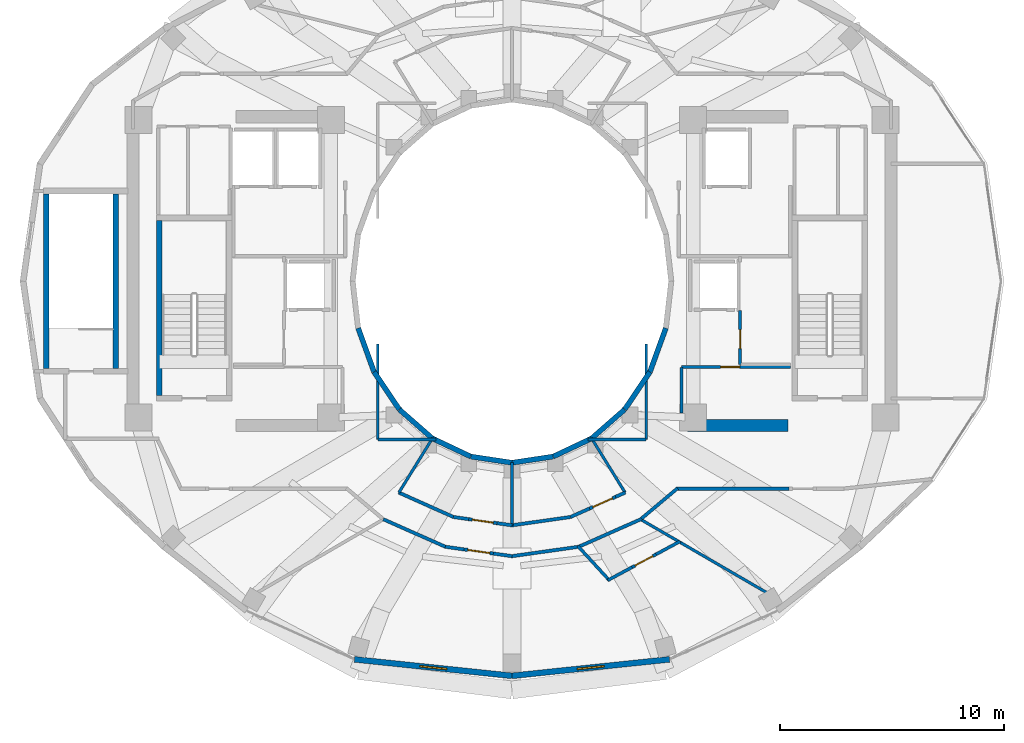
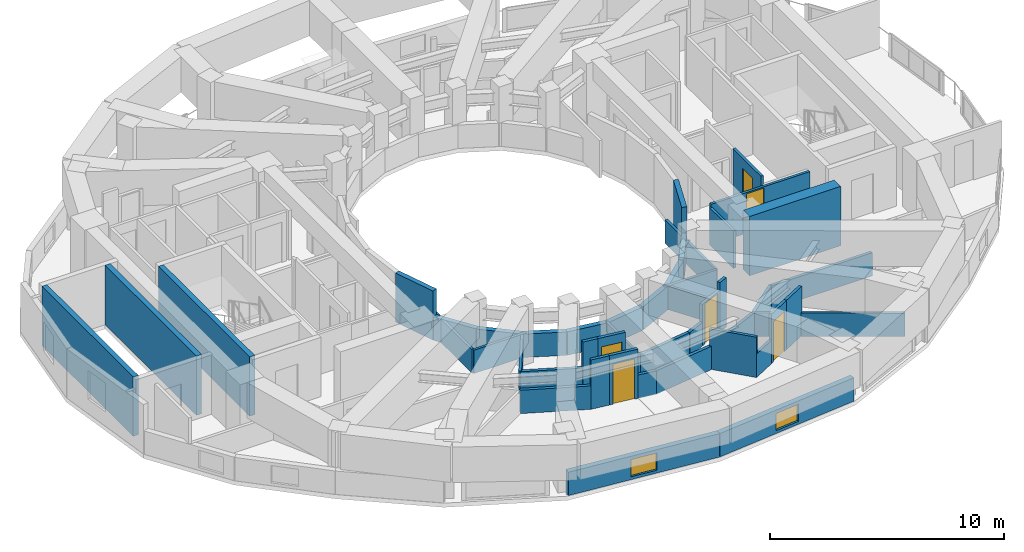
# One storey, part 14 of 20: 47 walls, 6 doors, 2 windows, 8 openings.
"""IFC4 building model written with IfcOpenShell, lengths in metres."""

from ifc_helpers import new_model, si_unit, direction, frame, frame_2d, origin, place, context, subcontext, project, spatial, rectangle, extrude, material, layer, layer_set, type_object, element, fill, save


model = new_model("IFC4")

# Units and contexts
model_context = context("Model", 3, precision=1e-05, world=origin(), true_north=direction((0.0, 1.0)))
body_context = subcontext(model_context, "Body", "Model", "MODEL_VIEW")
ifc_project = project(units=[si_unit("LENGTHUNIT", "METRE"), si_unit("AREAUNIT", "SQUARE_METRE"), si_unit("VOLUMEUNIT", "CUBIC_METRE"), si_unit("PLANEANGLEUNIT", "RADIAN"), si_unit("MASSUNIT", "GRAM", prefix="KILO")], contexts=[model_context])

# Site, building, storey
site_placement = place(None, origin())
site = spatial("IfcSite", under=ifc_project, at=site_placement, CompositionType="ELEMENT")
building_placement = place(site_placement, origin())
building = spatial("IfcBuilding", under=site, at=building_placement, Name="Solvane Sanctuary Tower", CompositionType="ELEMENT")
storey_placement = place(building_placement, frame((0.0, 0.0, 217.10009765625)))
storey = spatial("IfcBuildingStorey", under=building, at=storey_placement, Name="L66", CompositionType="ELEMENT", Elevation=217.10009765625)

# Walls
ifc_material_1 = material(Name="Concrete C50/60", Category="concrete")
ifc_layer_1 = layer(ifc_material_1, 0.550048828125, Name="Concrete C50/60")
ifc_layer_set_1 = layer_set([ifc_layer_1], Name="Concrete C50/60")
wall_type_1 = type_object("IfcWallType", Name="Wall W-CORE-550", PredefinedType="SHEAR", material=ifc_layer_set_1)
wall_1_placement = place(storey_placement, frame((39.85009765625, 16.550048828125, 0.0), z_axis=(0.0, 0.0, 1.0), x_axis=(1.0, 0.0, 0.0)))
element("IfcWall", 1, at=wall_1_placement, inside=storey, type_object=wall_type_1, Name="L66 Core Shear Wall EC-S", PredefinedType="SHEAR", context=body_context, shape_type="SweptSolid", body=[
    extrude(rectangle(XDim=4.5, YDim=0.550048828125, at=frame_2d((2.25, 0.0))), origin(), (0.0, 0.0, 1.0), 3.099853515625),
])
ifc_material_2 = material(Name="Acoustic Gypsum Partition Board")
ifc_layer_2 = layer(ifc_material_2, 0.14990234375, Name="Acoustic Gypsum Partition Board")
ifc_layer_set_2 = layer_set([ifc_layer_2], Name="Acoustic Gypsum Partition Board")
wall_type_2 = type_object("IfcWallType", Name="Wall W-CORR-150", PredefinedType="PARTITIONING", material=ifc_layer_set_2)
wall_2_placement = place(storey_placement, frame((26.934814453125, 13.548583984375, 0.0), z_axis=(0.0, 0.0, 1.0), x_axis=(0.912859324183, -0.408274239027, 0.0)))
element("IfcWall", 2, at=wall_2_placement, inside=storey, type_object=wall_type_2, Name="L66 South Light-Well Corridor Wall 1", PredefinedType="PARTITIONING", context=body_context, shape_type="SweptSolid", body=[
    extrude(rectangle(XDim=2.681884765625, YDim=0.14990234375, at=frame_2d((1.3408203125, 0.0))), origin(), (0.0, 0.0, 1.0), 1.219970703125),
])
wall_3_placement = place(storey_placement, frame((29.379638671875, 12.45458984375, 0.0), z_axis=(0.0, 0.0, 1.0), x_axis=(0.990090139669, -0.140433312754, 0.0)))
element("IfcWall", 3, at=wall_3_placement, inside=storey, type_object=wall_type_2, Name="L66 South Light-Well Corridor Wall 1", PredefinedType="PARTITIONING", context=body_context, shape_type="SweptSolid", body=[
    extrude(rectangle(XDim=0.69189453125, YDim=0.14990234375, at=frame_2d((0.345947265625, 0.0))), origin(), (0.0, 0.0, 1.0), 2.574951171875),
])

# Wall, opening, door
wall_4_placement = place(storey_placement, frame((30.064697265625, 12.357421875, 0.0), z_axis=(0.0, 0.0, 1.0), x_axis=(0.990102710588, -0.140344656064, 0.0)))
wall_4 = element("IfcWall", 4, at=wall_4_placement, inside=storey, type_object=wall_type_2, Name="L66 South Light-Well Corridor Wall 1", PredefinedType="PARTITIONING", context=body_context, shape_type="SweptSolid", body=[
    extrude(rectangle(XDim=1.269775390625, YDim=0.14990234375, at=frame_2d((0.634765625, 0.0))), origin(), (0.0, 0.0, 1.0), 2.574951171875),
])
opening_1_placement = place(wall_4_placement, frame((0.159912109375, 0.0, 0.0)))
opening_1 = element("IfcOpeningElement", 5, at=opening_1_placement, cuts=wall_4, Name="Opening D-L66-16", PredefinedType="OPENING", context=body_context, shape_type="SweptSolid", body=[
    extrude(rectangle(XDim=0.949951171875, YDim=2.10009765625, at=frame_2d((0.47509765625, 1.050048828125))), frame((0.0, 0.0849609375, 0.0), z_axis=(0.0, -1.0, 0.0), x_axis=(1.0, 0.0, 0.0)), (0.0, 0.0, 1.0), 0.169921875),
])
ifc_material_3 = material(Name="Engineered Tropical Hardwood", Category="wood")
door_type_1 = type_object("IfcDoorType", Name="Door D-ROOM-950", OperationType="NOTDEFINED", PredefinedType="DOOR", material=ifc_material_3)
door_1_placement = place(opening_1_placement, origin())
door_1 = element("IfcDoor", 6, at=door_1_placement, inside=storey, type_object=door_type_1, Name="L66 South Light-Well Alcove Door 1", OperationType="SINGLE_SWING_RIGHT", OverallHeight=2.10009765625, OverallWidth=0.949951171875, PredefinedType="DOOR", context=body_context, shape_type="SweptSolid", body=[
    extrude(rectangle(XDim=0.949951171875, YDim=2.10009765625, at=frame_2d((0.47509765625, 1.050048828125))), frame((0.0, 0.02490234375, 0.0), z_axis=(0.0, -1.0, 0.0), x_axis=(1.0, 0.0, 0.0)), (0.0, 0.0, 1.0), 0.050048828125),
])
fill(opening_1, door_1)

# Walls
wall_5_placement = place(storey_placement, frame((31.322021484375, 12.17919921875, 0.0), z_axis=(0.0, 0.0, 1.0), x_axis=(0.990090139669, -0.140433312754, 0.0)))
element("IfcWall", 7, at=wall_5_placement, inside=storey, type_object=wall_type_2, Name="L66 South Light-Well Corridor Wall 1", PredefinedType="PARTITIONING", context=body_context, shape_type="SweptSolid", body=[
    extrude(rectangle(XDim=0.69189453125, YDim=0.14990234375, at=frame_2d((0.345947265625, 0.0))), origin(), (0.0, 0.0, 1.0), 1.219970703125),
])
wall_6_placement = place(storey_placement, frame((31.992919921875, 12.08203125, 0.0), z_axis=(0.0, 0.0, 1.0), x_axis=(0.990096156252, 0.140390887794, 0.0)))
element("IfcWall", 8, at=wall_6_placement, inside=storey, type_object=wall_type_2, Name="L66 South Light-Well Corridor Wall 2", PredefinedType="PARTITIONING", context=body_context, shape_type="SweptSolid", body=[
    extrude(rectangle(XDim=2.65380859375, YDim=0.14990234375, at=frame_2d((1.326904296875, 0.0))), origin(), (0.0, 0.0, 1.0), 1.219970703125),
])
wall_7_placement = place(storey_placement, frame((34.616943359375, 12.45361328125, 0.0), z_axis=(0.0, 0.0, 1.0), x_axis=(0.912905274427, 0.408171483477, 0.0)))
element("IfcWall", 9, at=wall_7_placement, inside=storey, type_object=wall_type_2, Name="L66 South Light-Well Corridor Wall 2", PredefinedType="PARTITIONING", context=body_context, shape_type="SweptSolid", body=[
    extrude(rectangle(XDim=0.935546875, YDim=0.14990234375, at=frame_2d((0.4677734375, 0.0))), origin(), (0.0, 0.0, 1.0), 1.219970703125),
])

# Wall, opening, door
wall_8_placement = place(storey_placement, frame((35.470947265625, 12.83544921875, 0.0), z_axis=(0.0, 0.0, 1.0), x_axis=(0.912825795494, 0.408349197479, 0.0)))
wall_8 = element("IfcWall", 10, at=wall_8_placement, inside=storey, type_object=wall_type_2, Name="L66 South Light-Well Corridor Wall 2", PredefinedType="PARTITIONING", context=body_context, shape_type="SweptSolid", body=[
    extrude(rectangle(XDim=1.269775390625, YDim=0.14990234375, at=frame_2d((0.634765625, 0.0))), origin(), (0.0, 0.0, 1.0), 2.159912109375),
])
opening_2_placement = place(wall_8_placement, frame((0.159912109375, 0.0, 0.0)))
opening_2 = element("IfcOpeningElement", 11, at=opening_2_placement, cuts=wall_8, Name="Opening D-L66-17", PredefinedType="OPENING", context=body_context, shape_type="SweptSolid", body=[
    extrude(rectangle(XDim=0.949951171875, YDim=2.10009765625, at=frame_2d((0.47509765625, 1.050048828125))), frame((0.0, 0.0849609375, 0.0), z_axis=(0.0, -1.0, 0.0), x_axis=(1.0, 0.0, 0.0)), (0.0, 0.0, 1.0), 0.169921875),
])
door_2_placement = place(opening_2_placement, origin())
door_2 = element("IfcDoor", 12, at=door_2_placement, inside=storey, type_object=door_type_1, Name="L66 South Light-Well Alcove Door 2", OperationType="SINGLE_SWING_LEFT", OverallHeight=2.10009765625, OverallWidth=0.949951171875, PredefinedType="DOOR", context=body_context, shape_type="SweptSolid", body=[
    extrude(rectangle(XDim=0.949951171875, YDim=2.10009765625, at=frame_2d((0.47509765625, 1.050048828125))), frame((0.0, 0.02490234375, 0.0), z_axis=(0.0, -1.0, 0.0), x_axis=(1.0, 0.0, 0.0)), (0.0, 0.0, 1.0), 0.050048828125),
])
fill(opening_2, door_2)

# Walls
wall_9_placement = place(storey_placement, frame((36.630126953125, 13.35400390625, 0.0), z_axis=(0.0, 0.0, 1.0), x_axis=(0.9128584484, 0.40827619718, 0.0)))
element("IfcWall", 13, at=wall_9_placement, inside=storey, type_object=wall_type_2, Name="L66 South Light-Well Corridor Wall 2", PredefinedType="PARTITIONING", context=body_context, shape_type="SweptSolid", body=[
    extrude(rectangle(XDim=0.4765625, YDim=0.14990234375, at=frame_2d((0.23828125, 0.0))), origin(), (0.0, 0.0, 1.0), 2.574951171875),
])
wall_10_placement = place(storey_placement, frame((37.791015625, 12.385009765625, 0.0), z_axis=(0.0, 0.0, 1.0), x_axis=(0.765677451641, 0.643224719711, 0.0)))
element("IfcWall", 14, at=wall_10_placement, inside=storey, type_object=wall_type_2, Name="L66 SE Corner Throat Wall", PredefinedType="PARTITIONING", context=body_context, shape_type="SweptSolid", body=[
    extrude(rectangle(XDim=2.10546875, YDim=0.14990234375, at=frame_2d((1.052734375, 0.0))), origin(), (0.0, 0.0, 1.0), 1.219970703125),
])
wall_11_placement = place(storey_placement, frame((39.330078125, 13.719970703125, 0.0), z_axis=(0.0, 0.0, 1.0), x_axis=(1.0, 0.0, 0.0)))
element("IfcWall", 15, at=wall_11_placement, inside=storey, type_object=wall_type_2, Name="L66 SE Corner Corridor Wall", PredefinedType="PARTITIONING", context=body_context, shape_type="SweptSolid", body=[
    extrude(rectangle(XDim=5.059814453125, YDim=0.14990234375, at=frame_2d((2.52978515625, 0.0))), origin(), (0.0, 0.0, 1.0), 1.219970703125),
])
wall_12_placement = place(storey_placement, frame((34.93017578125, 11.1005859375, 0.0), z_axis=(0.0, 0.0, 1.0), x_axis=(0.914264054844, 0.405118794949, 0.0)))
element("IfcWall", 16, at=wall_12_placement, inside=storey, type_object=wall_type_2, Name="L66 En-suite Inner Wall S1", PredefinedType="PARTITIONING", context=body_context, shape_type="SweptSolid", body=[
    extrude(rectangle(XDim=3.133056640625, YDim=0.14990234375, at=frame_2d((1.56640625, 0.0))), origin(), (0.0, 0.0, 1.0), 1.219970703125),
])
wall_13_placement = place(storey_placement, frame((26.243896484375, 12.35400390625, 0.0), z_axis=(0.0, 0.0, 1.0), x_axis=(0.914302802833, -0.405031337963, 0.0)))
element("IfcWall", 17, at=wall_13_placement, inside=storey, type_object=wall_type_2, Name="L66 Unit Corridor Wall S1", PredefinedType="PARTITIONING", context=body_context, shape_type="SweptSolid", body=[
    extrude(rectangle(XDim=3.04931640625, YDim=0.14990234375, at=frame_2d((1.524658203125, 0.0))), origin(), (0.0, 0.0, 1.0), 1.219970703125),
])
wall_14_placement = place(storey_placement, frame((29.016357421875, 11.123291015625, 0.0), z_axis=(0.0, 0.0, 1.0), x_axis=(0.99022315503, -0.139492305317, 0.0)))
element("IfcWall", 18, at=wall_14_placement, inside=storey, type_object=wall_type_2, Name="L66 Unit Corridor Wall S1", PredefinedType="PARTITIONING", context=body_context, shape_type="SweptSolid", body=[
    extrude(rectangle(XDim=0.8505859375, YDim=0.14990234375, at=frame_2d((0.42529296875, 0.0))), origin(), (0.0, 0.0, 1.0), 2.574951171875),
])

# Wall, opening, door
wall_15_placement = place(storey_placement, frame((29.858642578125, 11.004638671875, 0.0), z_axis=(0.0, 0.0, 1.0), x_axis=(0.990228663531, -0.139453196171, 0.0)))
wall_15 = element("IfcWall", 19, at=wall_15_placement, inside=storey, type_object=wall_type_2, Name="L66 Unit Corridor Wall S1", PredefinedType="PARTITIONING", context=body_context, shape_type="SweptSolid", body=[
    extrude(rectangle(XDim=1.320068359375, YDim=0.14990234375, at=frame_2d((0.66015625, 0.0))), origin(), (0.0, 0.0, 1.0), 2.574951171875),
])
opening_3_placement = place(wall_15_placement, frame((0.159912109375, 0.0, 0.0)))
opening_3 = element("IfcOpeningElement", 20, at=opening_3_placement, cuts=wall_15, Name="Opening D-L66-26", PredefinedType="OPENING", context=body_context, shape_type="SweptSolid", body=[
    extrude(rectangle(XDim=1.0, YDim=2.10009765625, at=frame_2d((0.5, 1.050048828125))), frame((0.0, 0.0849609375, 0.0), z_axis=(0.0, -1.0, 0.0), x_axis=(1.0, 0.0, 0.0)), (0.0, 0.0, 1.0), 0.169921875),
])
door_type_2 = type_object("IfcDoorType", Name="Door D-UNIT", OperationType="NOTDEFINED", PredefinedType="DOOR", material=ifc_material_3)
door_3_placement = place(opening_3_placement, origin())
door_3 = element("IfcDoor", 21, at=door_3_placement, inside=storey, type_object=door_type_2, Name="L66 Unit Entrance Door S1", OperationType="SINGLE_SWING_RIGHT", OverallHeight=2.10009765625, OverallWidth=1.0, PredefinedType="DOOR", context=body_context, shape_type="SweptSolid", body=[
    extrude(rectangle(XDim=1.0, YDim=2.10009765625, at=frame_2d((0.5, 1.050048828125))), frame((0.0, 0.02490234375, 0.0), z_axis=(0.0, -1.0, 0.0), x_axis=(1.0, 0.0, 0.0)), (0.0, 0.0, 1.0), 0.050048828125),
])
fill(opening_3, door_3)

# Walls
wall_16_placement = place(storey_placement, frame((31.165771484375, 10.820556640625, 0.0), z_axis=(0.0, 0.0, 1.0), x_axis=(0.99022315503, -0.139492305317, 0.0)))
element("IfcWall", 22, at=wall_16_placement, inside=storey, type_object=wall_type_2, Name="L66 Unit Corridor Wall S1", PredefinedType="PARTITIONING", context=body_context, shape_type="SweptSolid", body=[
    extrude(rectangle(XDim=0.8505859375, YDim=0.14990234375, at=frame_2d((0.42529296875, 0.0))), origin(), (0.0, 0.0, 1.0), 1.219970703125),
])
wall_17_placement = place(storey_placement, frame((31.991943359375, 10.701904296875, 0.0), z_axis=(0.0, 0.0, 1.0), x_axis=(0.990225561979, 0.139475217886, 0.0)))
element("IfcWall", 23, at=wall_17_placement, inside=storey, type_object=wall_type_2, Name="L66 Unit Corridor Wall S1", PredefinedType="PARTITIONING", context=body_context, shape_type="SweptSolid", body=[
    extrude(rectangle(XDim=3.021240234375, YDim=0.14990234375, at=frame_2d((1.5107421875, 0.0))), origin(), (0.0, 0.0, 1.0), 1.219970703125),
])

# Wall, opening, window
ifc_material_4 = material(Name="Precast concrete C40/50", Category="concrete")
ifc_layer_3 = layer(ifc_material_4, 0.260009765625, Name="Precast concrete C40/50")
ifc_layer_set_3 = layer_set([ifc_layer_3], Name="Precast concrete C40/50")
wall_type_3 = type_object("IfcWallType", Name="Wall W-EXT-250", PredefinedType="STANDARD", material=ifc_layer_set_3)
wall_18_placement = place(storey_placement, frame((24.95703125, 6.088134765625, 0.0), z_axis=(0.0, 0.0, 1.0), x_axis=(0.994582822721, -0.103947144014, 0.0)))
wall_18 = element("IfcWall", 24, at=wall_18_placement, inside=storey, type_object=wall_type_3, Name="L66 Ceramic-Printed Facade Wall 17", PredefinedType="STANDARD", context=body_context, shape_type="SweptSolid", body=[
    extrude(rectangle(XDim=7.081298828125, YDim=0.260009765625, at=frame_2d((3.54052734375, 0.0))), origin(), (0.0, 0.0, 1.0), 1.219970703125),
])
opening_4_placement = place(wall_18_placement, frame((2.940673828125, 0.0, 0.14990234375)))
opening_4 = element("IfcOpeningElement", 25, at=opening_4_placement, cuts=wall_18, Name="Opening WN-OPER-1200", PredefinedType="OPENING", context=body_context, shape_type="SweptSolid", body=[
    extrude(rectangle(XDim=1.199951171875, YDim=0.89990234375, at=frame_2d((0.60009765625, 0.449951171875))), frame((0.0, 0.139892578125, 0.0), z_axis=(0.0, -1.0, 0.0), x_axis=(1.0, 0.0, 0.0)), (0.0, 0.0, 1.0), 0.280029296875),
])
ifc_material_5 = material(Name="Dark Ceramic-Fritted Low-E Glass", Category="glass")
window_type = type_object("IfcWindowType", Name="Window WN-OPER-1200", PartitioningType="SINGLE_PANEL", PredefinedType="WINDOW", material=ifc_material_5)
window_1_placement = place(opening_4_placement, origin())
window_1 = element("IfcWindow", 26, at=window_1_placement, inside=storey, type_object=window_type, Name="L66 Operable Facade Window 17", OverallHeight=0.89990234375, OverallWidth=1.199951171875, PartitioningType="SINGLE_PANEL", PredefinedType="WINDOW", context=body_context, shape_type="SweptSolid", body=[
    extrude(rectangle(XDim=1.199951171875, YDim=0.89990234375, at=frame_2d((0.60009765625, 0.449951171875))), frame((0.0, 0.030029296875, 0.0), z_axis=(0.0, -1.0, 0.0), x_axis=(1.0, 0.0, 0.0)), (0.0, 0.0, 1.0), 0.06005859375),
])
fill(opening_4, window_1)

wall_19_placement = place(storey_placement, frame((32.0, 5.35205078125, 0.0), z_axis=(0.0, 0.0, 1.0), x_axis=(0.994582822721, 0.103947144014, 0.0)))
wall_19 = element("IfcWall", 27, at=wall_19_placement, inside=storey, type_object=wall_type_3, Name="L66 Ceramic-Printed Facade Wall 18", PredefinedType="STANDARD", context=body_context, shape_type="SweptSolid", body=[
    extrude(rectangle(XDim=7.081298828125, YDim=0.260009765625, at=frame_2d((3.54052734375, 0.0))), origin(), (0.0, 0.0, 1.0), 1.219970703125),
])
opening_5_placement = place(wall_19_placement, frame((2.940673828125, 0.0, 0.14990234375)))
opening_5 = element("IfcOpeningElement", 28, at=opening_5_placement, cuts=wall_19, Name="Opening WN-OPER-1200", PredefinedType="OPENING", context=body_context, shape_type="SweptSolid", body=[
    extrude(rectangle(XDim=1.199951171875, YDim=0.89990234375, at=frame_2d((0.60009765625, 0.449951171875))), frame((0.0, 0.139892578125, 0.0), z_axis=(0.0, -1.0, 0.0), x_axis=(1.0, 0.0, 0.0)), (0.0, 0.0, 1.0), 0.280029296875),
])
window_2_placement = place(opening_5_placement, origin())
window_2 = element("IfcWindow", 29, at=window_2_placement, inside=storey, type_object=window_type, Name="L66 Operable Facade Window 18", OverallHeight=0.89990234375, OverallWidth=1.199951171875, PartitioningType="SINGLE_PANEL", PredefinedType="WINDOW", context=body_context, shape_type="SweptSolid", body=[
    extrude(rectangle(XDim=1.199951171875, YDim=0.89990234375, at=frame_2d((0.60009765625, 0.449951171875))), frame((0.0, 0.030029296875, 0.0), z_axis=(0.0, -1.0, 0.0), x_axis=(1.0, 0.0, 0.0)), (0.0, 0.0, 1.0), 0.06005859375),
])
fill(opening_5, window_2)

# Walls
ifc_layer_4 = layer(ifc_material_4, 0.22998046875, Name="Precast concrete C40/50")
ifc_layer_set_4 = layer_set([ifc_layer_4], Name="Precast concrete C40/50")
wall_type_4 = type_object("IfcWallType", Name="Wall W-EXT-SP220", PredefinedType="STANDARD", material=ifc_layer_set_4)
wall_20_placement = place(storey_placement, frame((25.12255859375, 20.8984375, 0.0), z_axis=(0.0, 0.0, 1.0), x_axis=(0.341423187295, -0.93990968033, 0.0)))
element("IfcWall", 30, at=wall_20_placement, inside=storey, type_object=wall_type_4, Name="L66 Central Light-Well Wall 13", PredefinedType="STANDARD", context=body_context, shape_type="SweptSolid", body=[
    extrude(rectangle(XDim=2.083740234375, YDim=0.22998046875, at=frame_2d((1.0419921875, 0.0))), origin(), (0.0, 0.0, 1.0), 2.559814453125),
])
wall_21_placement = place(storey_placement, frame((25.833984375, 18.93994140625, 0.0), z_axis=(0.0, 0.0, 1.0), x_axis=(0.558197800898, -0.829707909492, 0.0)))
element("IfcWall", 31, at=wall_21_placement, inside=storey, type_object=wall_type_4, Name="L66 Central Light-Well Wall 14", PredefinedType="STANDARD", context=body_context, shape_type="SweptSolid", body=[
    extrude(rectangle(XDim=2.02685546875, YDim=0.22998046875, at=frame_2d((1.013427734375, 0.0))), origin(), (0.0, 0.0, 1.0), 1.219970703125),
])
wall_22_placement = place(storey_placement, frame((26.96533203125, 17.25830078125, 0.0), z_axis=(0.0, 0.0, 1.0), x_axis=(0.752576694707, -0.658504607869, 0.0)))
element("IfcWall", 32, at=wall_22_placement, inside=storey, type_object=wall_type_4, Name="L66 Central Light-Well Wall 15", PredefinedType="STANDARD", context=body_context, shape_type="SweptSolid", body=[
    extrude(rectangle(XDim=1.95947265625, YDim=0.22998046875, at=frame_2d((0.979736328125, 0.0))), origin(), (0.0, 0.0, 1.0), 1.219970703125),
])
wall_23_placement = place(storey_placement, frame((28.43994140625, 15.968017578125, 0.0), z_axis=(0.0, 0.0, 1.0), x_axis=(0.904179699603, -0.427152280606, 0.0)))
element("IfcWall", 33, at=wall_23_placement, inside=storey, type_object=wall_type_4, Name="L66 Central Light-Well Wall 16", PredefinedType="STANDARD", context=body_context, shape_type="SweptSolid", body=[
    extrude(rectangle(XDim=1.899169921875, YDim=0.22998046875, at=frame_2d((0.94970703125, 0.0))), origin(), (0.0, 0.0, 1.0), 1.219970703125),
])
for number, where, z_axis, x_axis, name in (
    (34, (30.1572265625, 15.15673828125, 0.0), (0.0, 0.0, 1.0), (0.988901730308, -0.148571086668, 0.0), "L66 Central Light-Well Wall 17"),
    (35, (32.0, 14.8798828125, 0.0), (0.0, 0.0, 1.0), (0.988901730308, 0.148571086668, 0.0), "L66 Central Light-Well Wall 18"),
):
    element("IfcWall", number, at=place(storey_placement, frame(where, z_axis=z_axis, x_axis=x_axis)), inside=storey, type_object=wall_type_4, Name=name, PredefinedType="STANDARD", context=body_context, shape_type="SweptSolid", body=[
        extrude(rectangle(XDim=1.863525390625, YDim=0.22998046875, at=frame_2d((0.931640625, 0.0))), origin(), (0.0, 0.0, 1.0), 1.219970703125),
    ])
wall_24_placement = place(storey_placement, frame((33.8427734375, 15.15673828125, 0.0), z_axis=(0.0, 0.0, 1.0), x_axis=(0.904179699603, 0.427152280606, 0.0)))
element("IfcWall", 36, at=wall_24_placement, inside=storey, type_object=wall_type_4, Name="L66 Central Light-Well Wall 19", PredefinedType="STANDARD", context=body_context, shape_type="SweptSolid", body=[
    extrude(rectangle(XDim=1.899169921875, YDim=0.22998046875, at=frame_2d((0.94970703125, 0.0))), origin(), (0.0, 0.0, 1.0), 1.219970703125),
])
wall_25_placement = place(storey_placement, frame((35.56005859375, 15.968017578125, 0.0), z_axis=(0.0, 0.0, 1.0), x_axis=(0.752576694707, 0.658504607869, 0.0)))
element("IfcWall", 37, at=wall_25_placement, inside=storey, type_object=wall_type_4, Name="L66 Central Light-Well Wall 20", PredefinedType="STANDARD", context=body_context, shape_type="SweptSolid", body=[
    extrude(rectangle(XDim=1.95947265625, YDim=0.22998046875, at=frame_2d((0.979736328125, 0.0))), origin(), (0.0, 0.0, 1.0), 1.219970703125),
])
wall_26_placement = place(storey_placement, frame((37.03466796875, 17.25830078125, 0.0), z_axis=(0.0, 0.0, 1.0), x_axis=(0.558197800898, 0.829707909492, 0.0)))
element("IfcWall", 38, at=wall_26_placement, inside=storey, type_object=wall_type_4, Name="L66 Central Light-Well Wall 21", PredefinedType="STANDARD", context=body_context, shape_type="SweptSolid", body=[
    extrude(rectangle(XDim=2.02685546875, YDim=0.22998046875, at=frame_2d((1.013427734375, 0.0))), origin(), (0.0, 0.0, 1.0), 1.219970703125),
])
wall_27_placement = place(storey_placement, frame((38.166015625, 18.93994140625, 0.0), z_axis=(0.0, 0.0, 1.0), x_axis=(0.341423187295, 0.93990968033, 0.0)))
element("IfcWall", 39, at=wall_27_placement, inside=storey, type_object=wall_type_4, Name="L66 Central Light-Well Wall 22", PredefinedType="STANDARD", context=body_context, shape_type="SweptSolid", body=[
    extrude(rectangle(XDim=2.083740234375, YDim=0.22998046875, at=frame_2d((1.0419921875, 0.0))), origin(), (0.0, 0.0, 1.0), 2.559814453125),
])

# Wall, opening, door
ifc_layer_5 = layer(ifc_material_2, 0.125, Name="Acoustic Gypsum Partition Board")
ifc_layer_set_5 = layer_set([ifc_layer_5], Name="Acoustic Gypsum Partition Board")
wall_type_5 = type_object("IfcWallType", Name="Wall W-PART-125", PredefinedType="PARTITIONING", material=ifc_layer_set_5)
wall_28_placement = place(storey_placement, frame((39.580078125, 19.159912109375, 0.0), z_axis=(0.0, 0.0, 1.0), x_axis=(1.0, 0.0, 0.0)))
wall_28 = element("IfcWall", 40, at=wall_28_placement, inside=storey, type_object=wall_type_5, Name="L66 Reclaimed Room Partition PLE", PredefinedType="PARTITIONING", context=body_context, shape_type="SweptSolid", body=[
    extrude(rectangle(XDim=4.869873046875, YDim=0.125, at=frame_2d((2.43505859375, 0.0))), origin(), (0.0, 0.0, 1.0), 2.119873046875),
])
opening_6_placement = place(wall_28_placement, frame((1.748291015625, 0.0, 0.0)))
opening_6 = element("IfcOpeningElement", 41, at=opening_6_placement, cuts=wall_28, Name="Opening D-L66-07", PredefinedType="OPENING", context=body_context, shape_type="SweptSolid", body=[
    extrude(rectangle(XDim=0.85009765625, YDim=2.050048828125, at=frame_2d((0.425048828125, 1.02490234375))), frame((0.0, 0.072509765625, 0.0), z_axis=(0.0, -1.0, 0.0), x_axis=(1.0, 0.0, 0.0)), (0.0, 0.0, 1.0), 0.14501953125),
])
ifc_material_6 = material(Name="Architectural Stainless Steel 316", Category="steel")
door_type_3 = type_object("IfcDoorType", Name="Door D-RISER", OperationType="NOTDEFINED", PredefinedType="DOOR", material=ifc_material_6)
door_4_placement = place(opening_6_placement, origin())
door_4 = element("IfcDoor", 42, at=door_4_placement, inside=storey, type_object=door_type_3, Name="L66 Reclaimed Room Door PLE-1", OperationType="SINGLE_SWING_LEFT", OverallHeight=2.050048828125, OverallWidth=0.85009765625, PredefinedType="DOOR", context=body_context, shape_type="SweptSolid", body=[
    extrude(rectangle(XDim=0.85009765625, YDim=2.050048828125, at=frame_2d((0.425048828125, 1.02490234375))), frame((0.0, 0.02490234375, 0.0), z_axis=(0.0, -1.0, 0.0), x_axis=(1.0, 0.0, 0.0)), (0.0, 0.0, 1.0), 0.050048828125),
])
fill(opening_6, door_4)

# Wall
wall_29_placement = place(storey_placement, frame((39.580078125, 17.10009765625, 0.0), z_axis=(0.0, 0.0, 1.0), x_axis=(0.0, 1.0, 0.0)))
element("IfcWall", 43, at=wall_29_placement, inside=storey, type_object=wall_type_5, Name="L66 Reclaimed Room Closer Wall PLE-1", PredefinedType="PARTITIONING", context=body_context, shape_type="SweptSolid", body=[
    extrude(rectangle(XDim=2.039794921875, YDim=0.125, at=frame_2d((1.02001953125, 0.0))), origin(), (0.0, 0.0, 1.0), 1.951904296875),
])

# Wall, opening, door
wall_30_placement = place(storey_placement, frame((42.199951171875, 19.280029296875, 0.0), z_axis=(0.0, 0.0, 1.0), x_axis=(0.0, 1.0, 0.0)))
wall_30 = element("IfcWall", 44, at=wall_30_placement, inside=storey, type_object=wall_type_5, Name="L66 Reclaimed Room Partition PME", PredefinedType="PARTITIONING", context=body_context, shape_type="SweptSolid", body=[
    extrude(rectangle(XDim=2.39990234375, YDim=0.125, at=frame_2d((1.199951171875, 0.0))), origin(), (0.0, 0.0, 1.0), 2.574951171875),
])
opening_7_placement = place(wall_30_placement, frame((0.699951171875, 0.0, 0.0)))
opening_7 = element("IfcOpeningElement", 45, at=opening_7_placement, cuts=wall_30, Name="Opening D-L66-09", PredefinedType="OPENING", context=body_context, shape_type="SweptSolid", body=[
    extrude(rectangle(XDim=0.85009765625, YDim=2.050048828125, at=frame_2d((0.425048828125, 1.02490234375))), frame((0.0, 0.072509765625, 0.0), z_axis=(0.0, -1.0, 0.0), x_axis=(1.0, 0.0, 0.0)), (0.0, 0.0, 1.0), 0.14501953125),
])
door_5_placement = place(opening_7_placement, origin())
door_5 = element("IfcDoor", 46, at=door_5_placement, inside=storey, type_object=door_type_3, Name="L66 Reclaimed Room Door PME-1", OperationType="SINGLE_SWING_LEFT", OverallHeight=2.050048828125, OverallWidth=0.85009765625, PredefinedType="DOOR", context=body_context, shape_type="SweptSolid", body=[
    extrude(rectangle(XDim=0.85009765625, YDim=2.050048828125, at=frame_2d((0.425048828125, 1.02490234375))), frame((0.0, 0.02490234375, 0.0), z_axis=(0.0, -1.0, 0.0), x_axis=(1.0, 0.0, 0.0)), (0.0, 0.0, 1.0), 0.050048828125),
])
fill(opening_7, door_5)

# Walls
wall_31_placement = place(storey_placement, frame((28.449951171875, 15.985107421875, 0.0), z_axis=(0.0, 0.0, 1.0), x_axis=(-0.52592395012, -0.850531597702, 0.0)))
element("IfcWall", 47, at=wall_31_placement, inside=storey, type_object=wall_type_5, Name="L66 South Light-Well Radial Wall 240", PredefinedType="PARTITIONING", context=body_context, shape_type="SweptSolid", body=[
    extrude(rectangle(XDim=2.869384765625, YDim=0.125, at=frame_2d((1.4345703125, 0.0))), origin(), (0.0, 0.0, 1.0), 1.219970703125),
])
wall_32_placement = place(storey_placement, frame((32.0, 14.89990234375, 0.0), z_axis=(0.0, 0.0, 1.0), x_axis=(0.0, -1.0, 0.0)))
element("IfcWall", 48, at=wall_32_placement, inside=storey, type_object=wall_type_5, Name="L66 South Light-Well Radial Wall 270", PredefinedType="PARTITIONING", context=body_context, shape_type="SweptSolid", body=[
    extrude(rectangle(XDim=2.81787109375, YDim=0.125, at=frame_2d((1.408935546875, 0.0))), origin(), (0.0, 0.0, 1.0), 1.219970703125),
])
wall_33_placement = place(storey_placement, frame((35.550048828125, 15.985107421875, 0.0), z_axis=(0.0, 0.0, 1.0), x_axis=(0.52592395012, -0.850531597702, 0.0)))
element("IfcWall", 49, at=wall_33_placement, inside=storey, type_object=wall_type_5, Name="L66 South Light-Well Radial Wall 300", PredefinedType="PARTITIONING", context=body_context, shape_type="SweptSolid", body=[
    extrude(rectangle(XDim=2.869384765625, YDim=0.125, at=frame_2d((1.4345703125, 0.0))), origin(), (0.0, 0.0, 1.0), 1.219970703125),
])
wall_34_placement = place(storey_placement, frame((26.0, 15.919921875, 0.0), z_axis=(0.0, 0.0, 1.0), x_axis=(0.0, 1.0, 0.0)))
element("IfcWall", 50, at=wall_34_placement, inside=storey, type_object=wall_type_5, Name="L66 Bridge Alcove Wall 5", PredefinedType="PARTITIONING", context=body_context, shape_type="SweptSolid", body=[
    extrude(rectangle(XDim=4.280029296875, YDim=0.125, at=frame_2d((2.14013671875, 0.0))), origin(), (0.0, 0.0, 1.0), 1.219970703125),
])
wall_35_placement = place(storey_placement, frame((26.0, 15.919921875, 0.0), z_axis=(0.0, 0.0, 1.0), x_axis=(1.0, 0.0, 0.0)))
element("IfcWall", 51, at=wall_35_placement, inside=storey, type_object=wall_type_5, Name="L66 Bridge Alcove Wall 6", PredefinedType="PARTITIONING", context=body_context, shape_type="SweptSolid", body=[
    extrude(rectangle(XDim=2.60009765625, YDim=0.125, at=frame_2d((1.300048828125, 0.0))), origin(), (0.0, 0.0, 1.0), 1.219970703125),
])
wall_36_placement = place(storey_placement, frame((38.0, 15.919921875, 0.0), z_axis=(0.0, 0.0, 1.0), x_axis=(0.0, 1.0, 0.0)))
element("IfcWall", 52, at=wall_36_placement, inside=storey, type_object=wall_type_5, Name="L66 Bridge Alcove Wall 7", PredefinedType="PARTITIONING", context=body_context, shape_type="SweptSolid", body=[
    extrude(rectangle(XDim=4.280029296875, YDim=0.125, at=frame_2d((2.14013671875, 0.0))), origin(), (0.0, 0.0, 1.0), 1.219970703125),
])
wall_37_placement = place(storey_placement, frame((35.39990234375, 15.919921875, 0.0), z_axis=(0.0, 0.0, 1.0), x_axis=(1.0, 0.0, 0.0)))
element("IfcWall", 53, at=wall_37_placement, inside=storey, type_object=wall_type_5, Name="L66 Bridge Alcove Wall 8", PredefinedType="PARTITIONING", context=body_context, shape_type="SweptSolid", body=[
    extrude(rectangle(XDim=2.60009765625, YDim=0.125, at=frame_2d((1.300048828125, 0.0))), origin(), (0.0, 0.0, 1.0), 1.219970703125),
])
wall_38_placement = place(storey_placement, frame((37.796630859375, 12.322021484375, 0.0), z_axis=(0.0, 0.0, 1.0), x_axis=(0.864712462127, -0.502267217567, 0.0)))
element("IfcWall", 54, at=wall_38_placement, inside=storey, type_object=wall_type_5, Name="L66 Radial Compartment Wall 300", PredefinedType="PARTITIONING", context=body_context, shape_type="SweptSolid", body=[
    extrude(rectangle(XDim=6.439453125, YDim=0.125, at=frame_2d((3.2197265625, 0.0))), origin(), (0.0, 0.0, 1.0), 1.219970703125),
])
ifc_layer_6 = layer(ifc_material_1, 0.25, Name="Concrete C50/60")
ifc_layer_set_6 = layer_set([ifc_layer_6], Name="Concrete C50/60")
wall_type_6 = type_object("IfcWallType", Name="Wall W-SHAFT-250", PredefinedType="SOLIDWALL", material=ifc_layer_set_6)
for number, where, z_axis, x_axis, name in (
    (55, (16.22998046875, 17.89501953125, 0.0), (0.0, 0.0, 1.0), (0.0, 1.0, 0.0), "L66 ST-1 Load-Bearing Shaft Wall W"),
    (56, (11.169921875, 19.094970703125, 0.0), (0.0, 0.0, 1.0), (0.0, 1.0, 0.0), "L66 ST-3 Load-Bearing Shaft Wall W"),
    (57, (14.2900390625, 19.094970703125, 0.0), (0.0, 0.0, 1.0), (0.0, 1.0, 0.0), "L66 ST-3 Load-Bearing Shaft Wall E"),
):
    element("IfcWall", number, at=place(storey_placement, frame(where, z_axis=z_axis, x_axis=x_axis)), inside=storey, type_object=wall_type_6, Name=name, PredefinedType="SOLIDWALL", context=body_context, shape_type="SweptSolid", body=[
        extrude(rectangle(XDim=7.81005859375, YDim=0.25, at=frame_2d((3.905029296875, 0.0))), origin(), (0.0, 0.0, 1.0), 3.099853515625),
    ])
ifc_layer_7 = layer(ifc_material_2, 0.139892578125, Name="Acoustic Gypsum Partition Board")
ifc_layer_set_7 = layer_set([ifc_layer_7], Name="Acoustic Gypsum Partition Board")
wall_type_7 = type_object("IfcWallType", Name="Wall W-WET-140", PredefinedType="PLUMBINGWALL", material=ifc_layer_set_7)
wall_39_placement = place(storey_placement, frame((34.942138671875, 11.15771484375, 0.0), z_axis=(0.0, 0.0, 1.0), x_axis=(0.676534990417, -0.736410487936, 0.0)))
element("IfcWall", 58, at=wall_39_placement, inside=storey, type_object=wall_type_7, Name="L66 En-suite Side Partition S1", PredefinedType="PLUMBINGWALL", context=body_context, shape_type="SweptSolid", body=[
    extrude(rectangle(XDim=2.099853515625, YDim=0.139892578125, at=frame_2d((1.0498046875, 0.0))), origin(), (0.0, 0.0, 1.0), 2.10498046875),
])
wall_40_placement = place(storey_placement, frame((36.284912109375, 9.62451171875, 0.0), z_axis=(0.0, 0.0, 1.0), x_axis=(0.880381766321, 0.474265690862, 0.0)))
element("IfcWall", 59, at=wall_40_placement, inside=storey, type_object=wall_type_7, Name="L66 En-suite Bedroom Wall S1", PredefinedType="PLUMBINGWALL", context=body_context, shape_type="SweptSolid", body=[
    extrude(rectangle(XDim=1.228759765625, YDim=0.139892578125, at=frame_2d((0.6142578125, 0.0))), origin(), (0.0, 0.0, 1.0), 1.219970703125),
])

# Wall, opening, door
wall_41_placement = place(storey_placement, frame((37.36669921875, 10.207275390625, 0.0), z_axis=(0.0, 0.0, 1.0), x_axis=(0.880361832518, 0.474302692218, 0.0)))
wall_41 = element("IfcWall", 60, at=wall_41_placement, inside=storey, type_object=wall_type_7, Name="L66 En-suite Bedroom Wall S1", PredefinedType="PLUMBINGWALL", context=body_context, shape_type="SweptSolid", body=[
    extrude(rectangle(XDim=1.219970703125, YDim=0.139892578125, at=frame_2d((0.60986328125, 0.0))), origin(), (0.0, 0.0, 1.0), 2.574951171875),
])
opening_8_placement = place(wall_41_placement, frame((0.159912109375, 0.0, 0.0)))
opening_8 = element("IfcOpeningElement", 61, at=opening_8_placement, cuts=wall_41, Name="Opening D-L66-25", PredefinedType="OPENING", context=body_context, shape_type="SweptSolid", body=[
    extrude(rectangle(XDim=0.89990234375, YDim=2.10009765625, at=frame_2d((0.449951171875, 1.050048828125))), frame((0.0, 0.079833984375, 0.0), z_axis=(0.0, -1.0, 0.0), x_axis=(1.0, 0.0, 0.0)), (0.0, 0.0, 1.0), 0.159912109375),
])
door_type_4 = type_object("IfcDoorType", Name="Door D-WET-900", OperationType="NOTDEFINED", PredefinedType="DOOR", material=ifc_material_3)
door_6_placement = place(opening_8_placement, origin())
door_6 = element("IfcDoor", 62, at=door_6_placement, inside=storey, type_object=door_type_4, Name="L66 En-suite Bathroom Door S1", OperationType="SINGLE_SWING_LEFT", OverallHeight=2.10009765625, OverallWidth=0.89990234375, PredefinedType="DOOR", context=body_context, shape_type="SweptSolid", body=[
    extrude(rectangle(XDim=0.89990234375, YDim=2.10009765625, at=frame_2d((0.449951171875, 1.050048828125))), frame((0.0, 0.02490234375, 0.0), z_axis=(0.0, -1.0, 0.0), x_axis=(1.0, 0.0, 0.0)), (0.0, 0.0, 1.0), 0.050048828125),
])
fill(opening_8, door_6)

# Wall
wall_42_placement = place(storey_placement, frame((38.440673828125, 10.785888671875, 0.0), z_axis=(0.0, 0.0, 1.0), x_axis=(0.880298801954, 0.474419665779, 0.0)))
element("IfcWall", 63, at=wall_42_placement, inside=storey, type_object=wall_type_7, Name="L66 En-suite Bedroom Wall S1", PredefinedType="PLUMBINGWALL", context=body_context, shape_type="SweptSolid", body=[
    extrude(rectangle(XDim=1.22900390625, YDim=0.139892578125, at=frame_2d((0.614501953125, 0.0))), origin(), (0.0, 0.0, 1.0), 2.574951171875),
])

save(model, "model.ifc")
